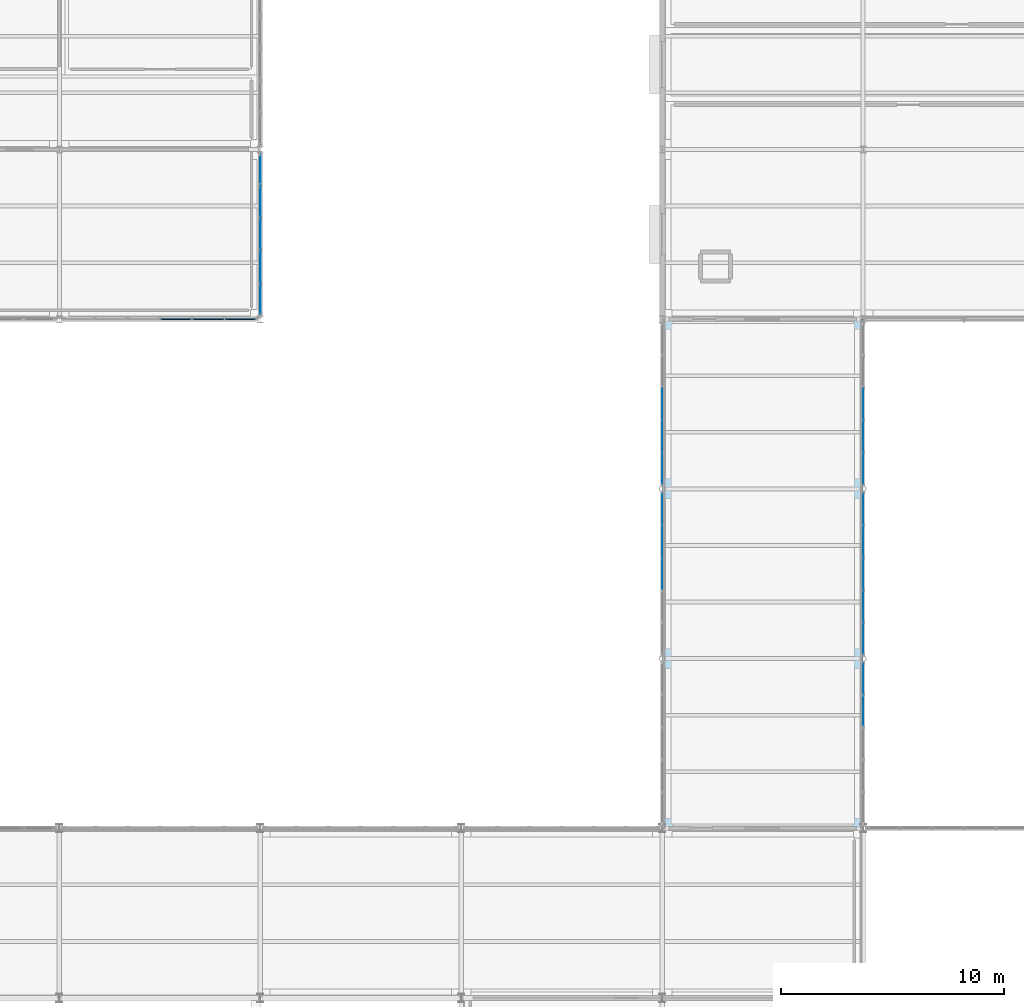
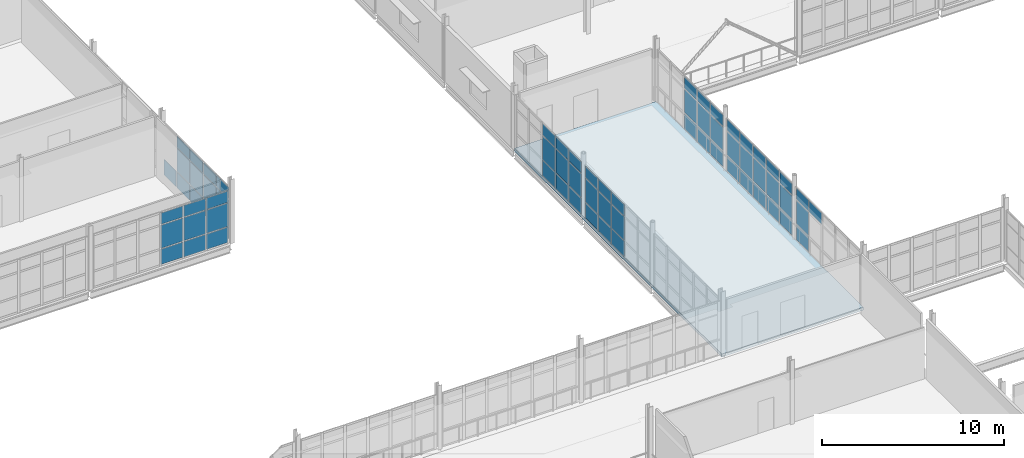
# One storey, part 136 of 174: 68 plates, 1 slab, 7 elements without a shape of their own.
"""IFC4 building model written with IfcOpenShell, lengths in metres."""

from ifc_helpers import new_model, si_unit, direction, frame, origin, origin_2d, place, context, subcontext, project, spatial, polyline, rectangle, outline, extrude, material, layer, layer_set, type_object, element, aggregate, save


model = new_model("IFC4")

# Units and contexts
model_context = context("Model", 3, precision=1e-05, world=origin(), true_north=direction((0.0, 1.0)))
body_context = subcontext(model_context, "Body", "Model", "MODEL_VIEW")
ifc_project = project(units=[si_unit("LENGTHUNIT", "METRE"), si_unit("AREAUNIT", "SQUARE_METRE"), si_unit("VOLUMEUNIT", "CUBIC_METRE"), si_unit("PLANEANGLEUNIT", "RADIAN"), si_unit("MASSUNIT", "GRAM", prefix="KILO")], contexts=[model_context])

# Site, building, storey
site_placement = place(None, origin())
site = spatial("IfcSite", under=ifc_project, at=site_placement, CompositionType="ELEMENT")
building_placement = place(site_placement, origin())
building = spatial("IfcBuilding", under=site, at=building_placement, Name="Caisbarro Railhouse Central Library", CompositionType="ELEMENT")
storey_placement = place(building_placement, frame((0.0, 0.0, 5.0400390625)))
storey = spatial("IfcBuildingStorey", under=building, at=storey_placement, Name="L01", CompositionType="ELEMENT", Elevation=5.0400390625)

# Curtain wall, plates
ifc_material_1 = material(Name="Anodised architectural aluminium", Category="aluminium")
curtain_wall_type_1 = type_object("IfcCurtainWallType", Name="CW-CW03", PredefinedType="NOTDEFINED", material=ifc_material_1)
curtain_wall_1_placement = place(storey_placement, origin())
curtain_wall_1 = element("IfcCurtainWall", 1, at=curtain_wall_1_placement, inside=storey, type_object=curtain_wall_type_1, Name="CW03 curtain wall L01 #193", PredefinedType="NOTDEFINED")
ifc_material_2 = material(Name="Double low-e laminated solar-control glass", Category="glass")
ifc_layer_1 = layer(ifc_material_2, 0.01806640625, Name="Double low-e laminated solar-control glass")
ifc_layer_set_1 = layer_set([ifc_layer_1], Name="Double low-e laminated solar-control glass")
plate_type_1 = type_object("IfcPlateType", Name="CWP-CP18", PredefinedType="CURTAIN_PANEL", material=ifc_layer_set_1)
plate_1_placement = place(storey_placement, frame((63.0, 66.055908203125, 2.79248046875), z_axis=(0.0, 0.0, 1.0), x_axis=(0.0, 1.0, 0.0)))
plate_1 = element("IfcPlate", 2, at=plate_1_placement, type_object=plate_type_1, Name="CW03 panel 4.3", PredefinedType="CURTAIN_PANEL", context=body_context, shape_type="SweptSolid", body=[
    extrude(rectangle(XDim=1.39111328125, YDim=0.01806640625, at=origin_2d()), origin(), (0.0, 0.0, 1.0), 0.75244140625),
])
plate_2_placement = place(storey_placement, frame((63.0, 67.495849609375, 0.06494140625), z_axis=(0.0, 0.0, 1.0), x_axis=(0.0, 1.0, 0.0)))
plate_2 = element("IfcPlate", 3, at=plate_2_placement, type_object=plate_type_1, Name="CW03 panel 5.1", PredefinedType="CURTAIN_PANEL", context=body_context, shape_type="SweptSolid", body=[
    extrude(rectangle(XDim=1.3583984375, YDim=0.01806640625, at=origin_2d()), origin(), (0.0, 0.0, 1.0), 1.0224609375),
])
plate_3_placement = place(storey_placement, frame((63.0, 67.495849609375, 1.15234375), z_axis=(0.0, 0.0, 1.0), x_axis=(0.0, 1.0, 0.0)))
plate_3 = element("IfcPlate", 4, at=plate_3_placement, type_object=plate_type_1, Name="CW03 panel 5.2", PredefinedType="CURTAIN_PANEL", context=body_context, shape_type="SweptSolid", body=[
    extrude(rectangle(XDim=1.3583984375, YDim=0.01806640625, at=origin_2d()), origin(), (0.0, 0.0, 1.0), 1.574951171875),
])
plate_4_placement = place(storey_placement, frame((63.0, 67.495849609375, 2.79248046875), z_axis=(0.0, 0.0, 1.0), x_axis=(0.0, 1.0, 0.0)))
plate_4 = element("IfcPlate", 5, at=plate_4_placement, type_object=plate_type_1, Name="CW03 panel 5.3", PredefinedType="CURTAIN_PANEL", context=body_context, shape_type="SweptSolid", body=[
    extrude(rectangle(XDim=1.3583984375, YDim=0.01806640625, at=origin_2d()), origin(), (0.0, 0.0, 1.0), 0.75244140625),
])
aggregate(curtain_wall_1, [plate_1, plate_2, plate_3, plate_4])

curtain_wall_2_placement = place(storey_placement, origin())
curtain_wall_2 = element("IfcCurtainWall", 6, at=curtain_wall_2_placement, inside=storey, type_object=curtain_wall_type_1, Name="CW03 curtain wall L01 #194", PredefinedType="NOTDEFINED")
plate_5_placement = place(storey_placement, frame((54.0, 72.199951171875, 0.06494140625), z_axis=(0.0, 0.0, 1.0), x_axis=(0.0, 1.0, 0.0)))
plate_5 = element("IfcPlate", 7, at=plate_5_placement, type_object=plate_type_1, Name="CW03 panel 3.1", PredefinedType="CURTAIN_PANEL", context=body_context, shape_type="SweptSolid", body=[
    extrude(rectangle(XDim=1.39111328125, YDim=0.01806640625, at=origin_2d()), origin(), (0.0, 0.0, 1.0), 1.0224609375),
])
plate_6_placement = place(storey_placement, frame((54.0, 72.199951171875, 1.15234375), z_axis=(0.0, 0.0, 1.0), x_axis=(0.0, 1.0, 0.0)))
plate_6 = element("IfcPlate", 8, at=plate_6_placement, type_object=plate_type_1, Name="CW03 panel 3.2", PredefinedType="CURTAIN_PANEL", context=body_context, shape_type="SweptSolid", body=[
    extrude(rectangle(XDim=1.39111328125, YDim=0.01806640625, at=origin_2d()), origin(), (0.0, 0.0, 1.0), 1.574951171875),
])
plate_7_placement = place(storey_placement, frame((54.0, 72.199951171875, 2.79248046875), z_axis=(0.0, 0.0, 1.0), x_axis=(0.0, 1.0, 0.0)))
plate_7 = element("IfcPlate", 9, at=plate_7_placement, type_object=plate_type_1, Name="CW03 panel 3.3", PredefinedType="CURTAIN_PANEL", context=body_context, shape_type="SweptSolid", body=[
    extrude(rectangle(XDim=1.39111328125, YDim=0.01806640625, at=origin_2d()), origin(), (0.0, 0.0, 1.0), 0.75244140625),
])
plate_8_placement = place(storey_placement, frame((54.0, 73.656005859375, 0.06494140625), z_axis=(0.0, 0.0, 1.0), x_axis=(0.0, 1.0, 0.0)))
plate_8 = element("IfcPlate", 10, at=plate_8_placement, type_object=plate_type_1, Name="CW03 panel 4.1", PredefinedType="CURTAIN_PANEL", context=body_context, shape_type="SweptSolid", body=[
    extrude(rectangle(XDim=1.39111328125, YDim=0.01806640625, at=origin_2d()), origin(), (0.0, 0.0, 1.0), 1.0224609375),
])
plate_9_placement = place(storey_placement, frame((54.0, 73.656005859375, 1.15234375), z_axis=(0.0, 0.0, 1.0), x_axis=(0.0, 1.0, 0.0)))
plate_9 = element("IfcPlate", 11, at=plate_9_placement, type_object=plate_type_1, Name="CW03 panel 4.2", PredefinedType="CURTAIN_PANEL", context=body_context, shape_type="SweptSolid", body=[
    extrude(rectangle(XDim=1.39111328125, YDim=0.01806640625, at=origin_2d()), origin(), (0.0, 0.0, 1.0), 1.574951171875),
])
plate_10_placement = place(storey_placement, frame((54.0, 73.656005859375, 2.79248046875), z_axis=(0.0, 0.0, 1.0), x_axis=(0.0, 1.0, 0.0)))
plate_10 = element("IfcPlate", 12, at=plate_10_placement, type_object=plate_type_1, Name="CW03 panel 4.3", PredefinedType="CURTAIN_PANEL", context=body_context, shape_type="SweptSolid", body=[
    extrude(rectangle(XDim=1.39111328125, YDim=0.01806640625, at=origin_2d()), origin(), (0.0, 0.0, 1.0), 0.75244140625),
])
plate_11_placement = place(storey_placement, frame((54.0, 75.095703125, 0.06494140625), z_axis=(0.0, 0.0, 1.0), x_axis=(0.0, 1.0, 0.0)))
plate_11 = element("IfcPlate", 13, at=plate_11_placement, type_object=plate_type_1, Name="CW03 panel 5.1", PredefinedType="CURTAIN_PANEL", context=body_context, shape_type="SweptSolid", body=[
    extrude(rectangle(XDim=1.3583984375, YDim=0.01806640625, at=origin_2d()), origin(), (0.0, 0.0, 1.0), 1.0224609375),
])
plate_12_placement = place(storey_placement, frame((54.0, 75.095703125, 1.15234375), z_axis=(0.0, 0.0, 1.0), x_axis=(0.0, 1.0, 0.0)))
plate_12 = element("IfcPlate", 14, at=plate_12_placement, type_object=plate_type_1, Name="CW03 panel 5.2", PredefinedType="CURTAIN_PANEL", context=body_context, shape_type="SweptSolid", body=[
    extrude(rectangle(XDim=1.3583984375, YDim=0.01806640625, at=origin_2d()), origin(), (0.0, 0.0, 1.0), 1.574951171875),
])
plate_13_placement = place(storey_placement, frame((54.0, 75.095703125, 2.79248046875), z_axis=(0.0, 0.0, 1.0), x_axis=(0.0, 1.0, 0.0)))
plate_13 = element("IfcPlate", 15, at=plate_13_placement, type_object=plate_type_1, Name="CW03 panel 5.3", PredefinedType="CURTAIN_PANEL", context=body_context, shape_type="SweptSolid", body=[
    extrude(rectangle(XDim=1.3583984375, YDim=0.01806640625, at=origin_2d()), origin(), (0.0, 0.0, 1.0), 0.75244140625),
])
aggregate(curtain_wall_2, [plate_5, plate_6, plate_7, plate_8, plate_9, plate_10, plate_11, plate_12, plate_13])

curtain_wall_3_placement = place(storey_placement, origin())
curtain_wall_3 = element("IfcCurtainWall", 16, at=curtain_wall_3_placement, inside=storey, type_object=curtain_wall_type_1, Name="CW03 curtain wall L01 #195", PredefinedType="NOTDEFINED")
plate_14_placement = place(storey_placement, frame((63.0, 69.30419921875, 0.06494140625), z_axis=(0.0, 0.0, 1.0), x_axis=(0.0, 1.0, 0.0)))
plate_14 = element("IfcPlate", 17, at=plate_14_placement, type_object=plate_type_1, Name="CW03 panel 1.1", PredefinedType="CURTAIN_PANEL", context=body_context, shape_type="SweptSolid", body=[
    extrude(rectangle(XDim=1.3583984375, YDim=0.01806640625, at=origin_2d()), origin(), (0.0, 0.0, 1.0), 1.0224609375),
])
plate_15_placement = place(storey_placement, frame((63.0, 69.30419921875, 1.15234375), z_axis=(0.0, 0.0, 1.0), x_axis=(0.0, 1.0, 0.0)))
plate_15 = element("IfcPlate", 18, at=plate_15_placement, type_object=plate_type_1, Name="CW03 panel 1.2", PredefinedType="CURTAIN_PANEL", context=body_context, shape_type="SweptSolid", body=[
    extrude(rectangle(XDim=1.3583984375, YDim=0.01806640625, at=origin_2d()), origin(), (0.0, 0.0, 1.0), 1.574951171875),
])
plate_16_placement = place(storey_placement, frame((63.0, 69.30419921875, 2.79248046875), z_axis=(0.0, 0.0, 1.0), x_axis=(0.0, 1.0, 0.0)))
plate_16 = element("IfcPlate", 19, at=plate_16_placement, type_object=plate_type_1, Name="CW03 panel 1.3", PredefinedType="CURTAIN_PANEL", context=body_context, shape_type="SweptSolid", body=[
    extrude(rectangle(XDim=1.3583984375, YDim=0.01806640625, at=origin_2d()), origin(), (0.0, 0.0, 1.0), 0.75244140625),
])
plate_17_placement = place(storey_placement, frame((63.0, 70.743896484375, 0.06494140625), z_axis=(0.0, 0.0, 1.0), x_axis=(0.0, 1.0, 0.0)))
plate_17 = element("IfcPlate", 20, at=plate_17_placement, type_object=plate_type_1, Name="CW03 panel 2.1", PredefinedType="CURTAIN_PANEL", context=body_context, shape_type="SweptSolid", body=[
    extrude(rectangle(XDim=1.39111328125, YDim=0.01806640625, at=origin_2d()), origin(), (0.0, 0.0, 1.0), 1.0224609375),
])
plate_18_placement = place(storey_placement, frame((63.0, 70.743896484375, 1.15234375), z_axis=(0.0, 0.0, 1.0), x_axis=(0.0, 1.0, 0.0)))
plate_18 = element("IfcPlate", 21, at=plate_18_placement, type_object=plate_type_1, Name="CW03 panel 2.2", PredefinedType="CURTAIN_PANEL", context=body_context, shape_type="SweptSolid", body=[
    extrude(rectangle(XDim=1.39111328125, YDim=0.01806640625, at=origin_2d()), origin(), (0.0, 0.0, 1.0), 1.574951171875),
])
plate_19_placement = place(storey_placement, frame((63.0, 70.743896484375, 2.79248046875), z_axis=(0.0, 0.0, 1.0), x_axis=(0.0, 1.0, 0.0)))
plate_19 = element("IfcPlate", 22, at=plate_19_placement, type_object=plate_type_1, Name="CW03 panel 2.3", PredefinedType="CURTAIN_PANEL", context=body_context, shape_type="SweptSolid", body=[
    extrude(rectangle(XDim=1.39111328125, YDim=0.01806640625, at=origin_2d()), origin(), (0.0, 0.0, 1.0), 0.75244140625),
])
plate_20_placement = place(storey_placement, frame((63.0, 72.199951171875, 0.06494140625), z_axis=(0.0, 0.0, 1.0), x_axis=(0.0, 1.0, 0.0)))
plate_20 = element("IfcPlate", 23, at=plate_20_placement, type_object=plate_type_1, Name="CW03 panel 3.1", PredefinedType="CURTAIN_PANEL", context=body_context, shape_type="SweptSolid", body=[
    extrude(rectangle(XDim=1.39111328125, YDim=0.01806640625, at=origin_2d()), origin(), (0.0, 0.0, 1.0), 1.0224609375),
])
plate_21_placement = place(storey_placement, frame((63.0, 72.199951171875, 1.15234375), z_axis=(0.0, 0.0, 1.0), x_axis=(0.0, 1.0, 0.0)))
plate_21 = element("IfcPlate", 24, at=plate_21_placement, type_object=plate_type_1, Name="CW03 panel 3.2", PredefinedType="CURTAIN_PANEL", context=body_context, shape_type="SweptSolid", body=[
    extrude(rectangle(XDim=1.39111328125, YDim=0.01806640625, at=origin_2d()), origin(), (0.0, 0.0, 1.0), 1.574951171875),
])
plate_22_placement = place(storey_placement, frame((63.0, 72.199951171875, 2.79248046875), z_axis=(0.0, 0.0, 1.0), x_axis=(0.0, 1.0, 0.0)))
plate_22 = element("IfcPlate", 25, at=plate_22_placement, type_object=plate_type_1, Name="CW03 panel 3.3", PredefinedType="CURTAIN_PANEL", context=body_context, shape_type="SweptSolid", body=[
    extrude(rectangle(XDim=1.39111328125, YDim=0.01806640625, at=origin_2d()), origin(), (0.0, 0.0, 1.0), 0.75244140625),
])
plate_23_placement = place(storey_placement, frame((63.0, 73.656005859375, 0.06494140625), z_axis=(0.0, 0.0, 1.0), x_axis=(0.0, 1.0, 0.0)))
plate_23 = element("IfcPlate", 26, at=plate_23_placement, type_object=plate_type_1, Name="CW03 panel 4.1", PredefinedType="CURTAIN_PANEL", context=body_context, shape_type="SweptSolid", body=[
    extrude(rectangle(XDim=1.39111328125, YDim=0.01806640625, at=origin_2d()), origin(), (0.0, 0.0, 1.0), 1.0224609375),
])
plate_24_placement = place(storey_placement, frame((63.0, 73.656005859375, 1.15234375), z_axis=(0.0, 0.0, 1.0), x_axis=(0.0, 1.0, 0.0)))
plate_24 = element("IfcPlate", 27, at=plate_24_placement, type_object=plate_type_1, Name="CW03 panel 4.2", PredefinedType="CURTAIN_PANEL", context=body_context, shape_type="SweptSolid", body=[
    extrude(rectangle(XDim=1.39111328125, YDim=0.01806640625, at=origin_2d()), origin(), (0.0, 0.0, 1.0), 1.574951171875),
])
plate_25_placement = place(storey_placement, frame((63.0, 73.656005859375, 2.79248046875), z_axis=(0.0, 0.0, 1.0), x_axis=(0.0, 1.0, 0.0)))
plate_25 = element("IfcPlate", 28, at=plate_25_placement, type_object=plate_type_1, Name="CW03 panel 4.3", PredefinedType="CURTAIN_PANEL", context=body_context, shape_type="SweptSolid", body=[
    extrude(rectangle(XDim=1.39111328125, YDim=0.01806640625, at=origin_2d()), origin(), (0.0, 0.0, 1.0), 0.75244140625),
])
plate_26_placement = place(storey_placement, frame((63.0, 75.095703125, 0.06494140625), z_axis=(0.0, 0.0, 1.0), x_axis=(0.0, 1.0, 0.0)))
plate_26 = element("IfcPlate", 29, at=plate_26_placement, type_object=plate_type_1, Name="CW03 panel 5.1", PredefinedType="CURTAIN_PANEL", context=body_context, shape_type="SweptSolid", body=[
    extrude(rectangle(XDim=1.3583984375, YDim=0.01806640625, at=origin_2d()), origin(), (0.0, 0.0, 1.0), 1.0224609375),
])
plate_27_placement = place(storey_placement, frame((63.0, 75.095703125, 1.15234375), z_axis=(0.0, 0.0, 1.0), x_axis=(0.0, 1.0, 0.0)))
plate_27 = element("IfcPlate", 30, at=plate_27_placement, type_object=plate_type_1, Name="CW03 panel 5.2", PredefinedType="CURTAIN_PANEL", context=body_context, shape_type="SweptSolid", body=[
    extrude(rectangle(XDim=1.3583984375, YDim=0.01806640625, at=origin_2d()), origin(), (0.0, 0.0, 1.0), 1.574951171875),
])
plate_28_placement = place(storey_placement, frame((63.0, 75.095703125, 2.79248046875), z_axis=(0.0, 0.0, 1.0), x_axis=(0.0, 1.0, 0.0)))
plate_28 = element("IfcPlate", 31, at=plate_28_placement, type_object=plate_type_1, Name="CW03 panel 5.3", PredefinedType="CURTAIN_PANEL", context=body_context, shape_type="SweptSolid", body=[
    extrude(rectangle(XDim=1.3583984375, YDim=0.01806640625, at=origin_2d()), origin(), (0.0, 0.0, 1.0), 0.75244140625),
])
aggregate(curtain_wall_3, [plate_14, plate_15, plate_16, plate_17, plate_18, plate_19, plate_20, plate_21, plate_22, plate_23, plate_24, plate_25, plate_26, plate_27, plate_28])

curtain_wall_4_placement = place(storey_placement, origin())
curtain_wall_4 = element("IfcCurtainWall", 32, at=curtain_wall_4_placement, inside=storey, type_object=curtain_wall_type_1, Name="CW03 curtain wall L01 #196", PredefinedType="NOTDEFINED")
plate_29_placement = place(storey_placement, frame((54.0, 76.904296875, 0.06494140625), z_axis=(0.0, 0.0, 1.0), x_axis=(0.0, 1.0, 0.0)))
plate_29 = element("IfcPlate", 33, at=plate_29_placement, type_object=plate_type_1, Name="CW03 panel 1.1", PredefinedType="CURTAIN_PANEL", context=body_context, shape_type="SweptSolid", body=[
    extrude(rectangle(XDim=1.3583984375, YDim=0.01806640625, at=origin_2d()), origin(), (0.0, 0.0, 1.0), 1.0224609375),
])
plate_30_placement = place(storey_placement, frame((54.0, 76.904296875, 1.15234375), z_axis=(0.0, 0.0, 1.0), x_axis=(0.0, 1.0, 0.0)))
plate_30 = element("IfcPlate", 34, at=plate_30_placement, type_object=plate_type_1, Name="CW03 panel 1.2", PredefinedType="CURTAIN_PANEL", context=body_context, shape_type="SweptSolid", body=[
    extrude(rectangle(XDim=1.3583984375, YDim=0.01806640625, at=origin_2d()), origin(), (0.0, 0.0, 1.0), 1.574951171875),
])
plate_31_placement = place(storey_placement, frame((54.0, 76.904296875, 2.79248046875), z_axis=(0.0, 0.0, 1.0), x_axis=(0.0, 1.0, 0.0)))
plate_31 = element("IfcPlate", 35, at=plate_31_placement, type_object=plate_type_1, Name="CW03 panel 1.3", PredefinedType="CURTAIN_PANEL", context=body_context, shape_type="SweptSolid", body=[
    extrude(rectangle(XDim=1.3583984375, YDim=0.01806640625, at=origin_2d()), origin(), (0.0, 0.0, 1.0), 0.75244140625),
])
plate_32_placement = place(storey_placement, frame((54.0, 78.343994140625, 0.06494140625), z_axis=(0.0, 0.0, 1.0), x_axis=(0.0, 1.0, 0.0)))
plate_32 = element("IfcPlate", 36, at=plate_32_placement, type_object=plate_type_1, Name="CW03 panel 2.1", PredefinedType="CURTAIN_PANEL", context=body_context, shape_type="SweptSolid", body=[
    extrude(rectangle(XDim=1.39111328125, YDim=0.01806640625, at=origin_2d()), origin(), (0.0, 0.0, 1.0), 1.0224609375),
])
plate_33_placement = place(storey_placement, frame((54.0, 78.343994140625, 1.15234375), z_axis=(0.0, 0.0, 1.0), x_axis=(0.0, 1.0, 0.0)))
plate_33 = element("IfcPlate", 37, at=plate_33_placement, type_object=plate_type_1, Name="CW03 panel 2.2", PredefinedType="CURTAIN_PANEL", context=body_context, shape_type="SweptSolid", body=[
    extrude(rectangle(XDim=1.39111328125, YDim=0.01806640625, at=origin_2d()), origin(), (0.0, 0.0, 1.0), 1.574951171875),
])
plate_34_placement = place(storey_placement, frame((54.0, 78.343994140625, 2.79248046875), z_axis=(0.0, 0.0, 1.0), x_axis=(0.0, 1.0, 0.0)))
plate_34 = element("IfcPlate", 38, at=plate_34_placement, type_object=plate_type_1, Name="CW03 panel 2.3", PredefinedType="CURTAIN_PANEL", context=body_context, shape_type="SweptSolid", body=[
    extrude(rectangle(XDim=1.39111328125, YDim=0.01806640625, at=origin_2d()), origin(), (0.0, 0.0, 1.0), 0.75244140625),
])
plate_35_placement = place(storey_placement, frame((54.0, 79.800048828125, 0.06494140625), z_axis=(0.0, 0.0, 1.0), x_axis=(0.0, 1.0, 0.0)))
plate_35 = element("IfcPlate", 39, at=plate_35_placement, type_object=plate_type_1, Name="CW03 panel 3.1", PredefinedType="CURTAIN_PANEL", context=body_context, shape_type="SweptSolid", body=[
    extrude(rectangle(XDim=1.39111328125, YDim=0.01806640625, at=origin_2d()), origin(), (0.0, 0.0, 1.0), 1.0224609375),
])
plate_36_placement = place(storey_placement, frame((54.0, 79.800048828125, 1.15234375), z_axis=(0.0, 0.0, 1.0), x_axis=(0.0, 1.0, 0.0)))
plate_36 = element("IfcPlate", 40, at=plate_36_placement, type_object=plate_type_1, Name="CW03 panel 3.2", PredefinedType="CURTAIN_PANEL", context=body_context, shape_type="SweptSolid", body=[
    extrude(rectangle(XDim=1.39111328125, YDim=0.01806640625, at=origin_2d()), origin(), (0.0, 0.0, 1.0), 1.574951171875),
])
plate_37_placement = place(storey_placement, frame((54.0, 79.800048828125, 2.79248046875), z_axis=(0.0, 0.0, 1.0), x_axis=(0.0, 1.0, 0.0)))
plate_37 = element("IfcPlate", 41, at=plate_37_placement, type_object=plate_type_1, Name="CW03 panel 3.3", PredefinedType="CURTAIN_PANEL", context=body_context, shape_type="SweptSolid", body=[
    extrude(rectangle(XDim=1.39111328125, YDim=0.01806640625, at=origin_2d()), origin(), (0.0, 0.0, 1.0), 0.75244140625),
])
aggregate(curtain_wall_4, [plate_29, plate_30, plate_31, plate_32, plate_33, plate_34, plate_35, plate_36, plate_37])

curtain_wall_5_placement = place(storey_placement, origin())
curtain_wall_5 = element("IfcCurtainWall", 42, at=curtain_wall_5_placement, inside=storey, type_object=curtain_wall_type_1, Name="CW03 curtain wall L01 #197", PredefinedType="NOTDEFINED")
plate_38_placement = place(storey_placement, frame((63.0, 76.904296875, 0.06494140625), z_axis=(0.0, 0.0, 1.0), x_axis=(0.0, 1.0, 0.0)))
plate_38 = element("IfcPlate", 43, at=plate_38_placement, type_object=plate_type_1, Name="CW03 panel 1.1", PredefinedType="CURTAIN_PANEL", context=body_context, shape_type="SweptSolid", body=[
    extrude(rectangle(XDim=1.3583984375, YDim=0.01806640625, at=origin_2d()), origin(), (0.0, 0.0, 1.0), 1.0224609375),
])
plate_39_placement = place(storey_placement, frame((63.0, 76.904296875, 1.15234375), z_axis=(0.0, 0.0, 1.0), x_axis=(0.0, 1.0, 0.0)))
plate_39 = element("IfcPlate", 44, at=plate_39_placement, type_object=plate_type_1, Name="CW03 panel 1.2", PredefinedType="CURTAIN_PANEL", context=body_context, shape_type="SweptSolid", body=[
    extrude(rectangle(XDim=1.3583984375, YDim=0.01806640625, at=origin_2d()), origin(), (0.0, 0.0, 1.0), 1.574951171875),
])
plate_40_placement = place(storey_placement, frame((63.0, 76.904296875, 2.79248046875), z_axis=(0.0, 0.0, 1.0), x_axis=(0.0, 1.0, 0.0)))
plate_40 = element("IfcPlate", 45, at=plate_40_placement, type_object=plate_type_1, Name="CW03 panel 1.3", PredefinedType="CURTAIN_PANEL", context=body_context, shape_type="SweptSolid", body=[
    extrude(rectangle(XDim=1.3583984375, YDim=0.01806640625, at=origin_2d()), origin(), (0.0, 0.0, 1.0), 0.75244140625),
])
plate_41_placement = place(storey_placement, frame((63.0, 78.343994140625, 0.06494140625), z_axis=(0.0, 0.0, 1.0), x_axis=(0.0, 1.0, 0.0)))
plate_41 = element("IfcPlate", 46, at=plate_41_placement, type_object=plate_type_1, Name="CW03 panel 2.1", PredefinedType="CURTAIN_PANEL", context=body_context, shape_type="SweptSolid", body=[
    extrude(rectangle(XDim=1.39111328125, YDim=0.01806640625, at=origin_2d()), origin(), (0.0, 0.0, 1.0), 1.0224609375),
])
plate_42_placement = place(storey_placement, frame((63.0, 78.343994140625, 1.15234375), z_axis=(0.0, 0.0, 1.0), x_axis=(0.0, 1.0, 0.0)))
plate_42 = element("IfcPlate", 47, at=plate_42_placement, type_object=plate_type_1, Name="CW03 panel 2.2", PredefinedType="CURTAIN_PANEL", context=body_context, shape_type="SweptSolid", body=[
    extrude(rectangle(XDim=1.39111328125, YDim=0.01806640625, at=origin_2d()), origin(), (0.0, 0.0, 1.0), 1.574951171875),
])
plate_43_placement = place(storey_placement, frame((63.0, 78.343994140625, 2.79248046875), z_axis=(0.0, 0.0, 1.0), x_axis=(0.0, 1.0, 0.0)))
plate_43 = element("IfcPlate", 48, at=plate_43_placement, type_object=plate_type_1, Name="CW03 panel 2.3", PredefinedType="CURTAIN_PANEL", context=body_context, shape_type="SweptSolid", body=[
    extrude(rectangle(XDim=1.39111328125, YDim=0.01806640625, at=origin_2d()), origin(), (0.0, 0.0, 1.0), 0.75244140625),
])
plate_44_placement = place(storey_placement, frame((63.0, 79.800048828125, 0.06494140625), z_axis=(0.0, 0.0, 1.0), x_axis=(0.0, 1.0, 0.0)))
plate_44 = element("IfcPlate", 49, at=plate_44_placement, type_object=plate_type_1, Name="CW03 panel 3.1", PredefinedType="CURTAIN_PANEL", context=body_context, shape_type="SweptSolid", body=[
    extrude(rectangle(XDim=1.39111328125, YDim=0.01806640625, at=origin_2d()), origin(), (0.0, 0.0, 1.0), 1.0224609375),
])
plate_45_placement = place(storey_placement, frame((63.0, 79.800048828125, 1.15234375), z_axis=(0.0, 0.0, 1.0), x_axis=(0.0, 1.0, 0.0)))
plate_45 = element("IfcPlate", 50, at=plate_45_placement, type_object=plate_type_1, Name="CW03 panel 3.2", PredefinedType="CURTAIN_PANEL", context=body_context, shape_type="SweptSolid", body=[
    extrude(rectangle(XDim=1.39111328125, YDim=0.01806640625, at=origin_2d()), origin(), (0.0, 0.0, 1.0), 1.574951171875),
])
plate_46_placement = place(storey_placement, frame((63.0, 79.800048828125, 2.79248046875), z_axis=(0.0, 0.0, 1.0), x_axis=(0.0, 1.0, 0.0)))
plate_46 = element("IfcPlate", 51, at=plate_46_placement, type_object=plate_type_1, Name="CW03 panel 3.3", PredefinedType="CURTAIN_PANEL", context=body_context, shape_type="SweptSolid", body=[
    extrude(rectangle(XDim=1.39111328125, YDim=0.01806640625, at=origin_2d()), origin(), (0.0, 0.0, 1.0), 0.75244140625),
])
aggregate(curtain_wall_5, [plate_38, plate_39, plate_40, plate_41, plate_42, plate_43, plate_44, plate_45, plate_46])

curtain_wall_type_2 = type_object("IfcCurtainWallType", Name="CW-CW02", PredefinedType="NOTDEFINED", material=ifc_material_1)
curtain_wall_6_placement = place(storey_placement, origin())
curtain_wall_6 = element("IfcCurtainWall", 52, at=curtain_wall_6_placement, inside=storey, type_object=curtain_wall_type_2, Name="CW02 curtain wall L01 #83", PredefinedType="NOTDEFINED")
ifc_layer_2 = layer(ifc_material_2, 0.028076171875, Name="Double low-e laminated solar-control glass")
ifc_layer_set_2 = layer_set([ifc_layer_2], Name="Double low-e laminated solar-control glass")
plate_type_2 = type_object("IfcPlateType", Name="CWP-CP28", PredefinedType="CURTAIN_PANEL", material=ifc_layer_set_2)
plate_47_placement = place(storey_placement, frame((36.0, 84.5068359375, 0.06494140625), z_axis=(0.0, 0.0, 1.0), x_axis=(0.0, 1.0, 0.0)))
plate_47 = element("IfcPlate", 53, at=plate_47_placement, type_object=plate_type_2, Name="CW02 panel 1.1", PredefinedType="CURTAIN_PANEL", context=body_context, shape_type="SweptSolid", body=[
    extrude(rectangle(XDim=1.343505859375, YDim=0.028076171875, at=origin_2d()), origin(), (0.0, 0.0, 1.0), 1.0224609375),
])
plate_48_placement = place(storey_placement, frame((36.0, 84.5068359375, 1.152587890625), z_axis=(0.0, 0.0, 1.0), x_axis=(0.0, 1.0, 0.0)))
plate_48 = element("IfcPlate", 54, at=plate_48_placement, type_object=plate_type_2, Name="CW02 panel 1.2", PredefinedType="CURTAIN_PANEL", context=body_context, shape_type="SweptSolid", body=[
    extrude(rectangle(XDim=1.343505859375, YDim=0.028076171875, at=origin_2d()), origin(), (0.0, 0.0, 1.0), 1.544921875),
])
plate_49_placement = place(storey_placement, frame((36.0, 84.5068359375, 2.762451171875), z_axis=(0.0, 0.0, 1.0), x_axis=(0.0, 1.0, 0.0)))
plate_49 = element("IfcPlate", 55, at=plate_49_placement, type_object=plate_type_2, Name="CW02 panel 1.3", PredefinedType="CURTAIN_PANEL", context=body_context, shape_type="SweptSolid", body=[
    extrude(rectangle(XDim=1.343505859375, YDim=0.028076171875, at=origin_2d()), origin(), (0.0, 0.0, 1.0), 0.75244140625),
])
plate_50_placement = place(storey_placement, frame((36.0, 85.944091796875, 0.06494140625), z_axis=(0.0, 0.0, 1.0), x_axis=(0.0, 1.0, 0.0)))
plate_50 = element("IfcPlate", 56, at=plate_50_placement, type_object=plate_type_2, Name="CW02 panel 2.1", PredefinedType="CURTAIN_PANEL", context=body_context, shape_type="SweptSolid", body=[
    extrude(rectangle(XDim=1.381103515625, YDim=0.028076171875, at=origin_2d()), origin(), (0.0, 0.0, 1.0), 1.0224609375),
])
plate_51_placement = place(storey_placement, frame((36.0, 85.944091796875, 1.152587890625), z_axis=(0.0, 0.0, 1.0), x_axis=(0.0, 1.0, 0.0)))
plate_51 = element("IfcPlate", 57, at=plate_51_placement, type_object=plate_type_2, Name="CW02 panel 2.2", PredefinedType="CURTAIN_PANEL", context=body_context, shape_type="SweptSolid", body=[
    extrude(rectangle(XDim=1.381103515625, YDim=0.028076171875, at=origin_2d()), origin(), (0.0, 0.0, 1.0), 1.544921875),
])
plate_52_placement = place(storey_placement, frame((36.0, 85.944091796875, 2.762451171875), z_axis=(0.0, 0.0, 1.0), x_axis=(0.0, 1.0, 0.0)))
plate_52 = element("IfcPlate", 58, at=plate_52_placement, type_object=plate_type_2, Name="CW02 panel 2.3", PredefinedType="CURTAIN_PANEL", context=body_context, shape_type="SweptSolid", body=[
    extrude(rectangle(XDim=1.381103515625, YDim=0.028076171875, at=origin_2d()), origin(), (0.0, 0.0, 1.0), 0.75244140625),
])
plate_53_placement = place(storey_placement, frame((36.0, 87.39990234375, 0.06494140625), z_axis=(0.0, 0.0, 1.0), x_axis=(0.0, 1.0, 0.0)))
plate_53 = element("IfcPlate", 59, at=plate_53_placement, type_object=plate_type_2, Name="CW02 panel 3.1", PredefinedType="CURTAIN_PANEL", context=body_context, shape_type="SweptSolid", body=[
    extrude(rectangle(XDim=1.381103515625, YDim=0.028076171875, at=origin_2d()), origin(), (0.0, 0.0, 1.0), 1.0224609375),
])
plate_54_placement = place(storey_placement, frame((36.0, 87.39990234375, 1.152587890625), z_axis=(0.0, 0.0, 1.0), x_axis=(0.0, 1.0, 0.0)))
plate_54 = element("IfcPlate", 60, at=plate_54_placement, type_object=plate_type_2, Name="CW02 panel 3.2", PredefinedType="CURTAIN_PANEL", context=body_context, shape_type="SweptSolid", body=[
    extrude(rectangle(XDim=1.381103515625, YDim=0.028076171875, at=origin_2d()), origin(), (0.0, 0.0, 1.0), 1.544921875),
])
plate_55_placement = place(storey_placement, frame((36.0, 87.39990234375, 2.762451171875), z_axis=(0.0, 0.0, 1.0), x_axis=(0.0, 1.0, 0.0)))
plate_55 = element("IfcPlate", 61, at=plate_55_placement, type_object=plate_type_2, Name="CW02 panel 3.3", PredefinedType="CURTAIN_PANEL", context=body_context, shape_type="SweptSolid", body=[
    extrude(rectangle(XDim=1.381103515625, YDim=0.028076171875, at=origin_2d()), origin(), (0.0, 0.0, 1.0), 0.75244140625),
])
plate_56_placement = place(storey_placement, frame((36.0, 88.85595703125, 0.06494140625), z_axis=(0.0, 0.0, 1.0), x_axis=(0.0, 1.0, 0.0)))
plate_56 = element("IfcPlate", 62, at=plate_56_placement, type_object=plate_type_2, Name="CW02 panel 4.1", PredefinedType="CURTAIN_PANEL", context=body_context, shape_type="SweptSolid", body=[
    extrude(rectangle(XDim=1.381103515625, YDim=0.028076171875, at=origin_2d()), origin(), (0.0, 0.0, 1.0), 1.0224609375),
])
plate_57_placement = place(storey_placement, frame((36.0, 88.85595703125, 1.152587890625), z_axis=(0.0, 0.0, 1.0), x_axis=(0.0, 1.0, 0.0)))
plate_57 = element("IfcPlate", 63, at=plate_57_placement, type_object=plate_type_2, Name="CW02 panel 4.2", PredefinedType="CURTAIN_PANEL", context=body_context, shape_type="SweptSolid", body=[
    extrude(rectangle(XDim=1.381103515625, YDim=0.028076171875, at=origin_2d()), origin(), (0.0, 0.0, 1.0), 1.544921875),
])
plate_58_placement = place(storey_placement, frame((36.0, 88.85595703125, 2.762451171875), z_axis=(0.0, 0.0, 1.0), x_axis=(0.0, 1.0, 0.0)))
plate_58 = element("IfcPlate", 64, at=plate_58_placement, type_object=plate_type_2, Name="CW02 panel 4.3", PredefinedType="CURTAIN_PANEL", context=body_context, shape_type="SweptSolid", body=[
    extrude(rectangle(XDim=1.381103515625, YDim=0.028076171875, at=origin_2d()), origin(), (0.0, 0.0, 1.0), 0.75244140625),
])
plate_59_placement = place(storey_placement, frame((36.0, 90.293212890625, 0.06494140625), z_axis=(0.0, 0.0, 1.0), x_axis=(0.0, 1.0, 0.0)))
plate_59 = element("IfcPlate", 65, at=plate_59_placement, type_object=plate_type_2, Name="CW02 panel 5.1", PredefinedType="CURTAIN_PANEL", context=body_context, shape_type="SweptSolid", body=[
    extrude(rectangle(XDim=1.343505859375, YDim=0.028076171875, at=origin_2d()), origin(), (0.0, 0.0, 1.0), 1.0224609375),
])
aggregate(curtain_wall_6, [plate_47, plate_48, plate_49, plate_50, plate_51, plate_52, plate_53, plate_54, plate_55, plate_56, plate_57, plate_58, plate_59])

curtain_wall_7_placement = place(storey_placement, origin())
curtain_wall_7 = element("IfcCurtainWall", 66, at=curtain_wall_7_placement, inside=storey, type_object=curtain_wall_type_2, Name="CW02 curtain wall L01 #82", PredefinedType="NOTDEFINED")
ifc_layer_3 = layer(ifc_material_2, 0.048095703125, Name="Double low-e laminated solar-control glass")
ifc_layer_set_3 = layer_set([ifc_layer_3], Name="Double low-e laminated solar-control glass")
plate_type_3 = type_object("IfcPlateType", Name="CWP-CP48", PredefinedType="CURTAIN_PANEL", material=ifc_layer_set_3)
plate_60_placement = place(storey_placement, frame((32.223388671875, 83.60009765625, 0.06494140625), z_axis=(0.0, 0.0, 1.0), x_axis=(1.0, 0.0, 0.0)))
plate_60 = element("IfcPlate", 67, at=plate_60_placement, type_object=plate_type_3, Name="CW02 panel 4.1", PredefinedType="CURTAIN_PANEL", context=body_context, shape_type="SweptSolid", body=[
    extrude(rectangle(XDim=1.381591796875, YDim=0.048095703125, at=origin_2d()), origin(), (0.0, 0.0, 1.0), 1.0224609375),
])
plate_61_placement = place(storey_placement, frame((32.223388671875, 83.60009765625, 1.152587890625), z_axis=(0.0, 0.0, 1.0), x_axis=(1.0, 0.0, 0.0)))
plate_61 = element("IfcPlate", 68, at=plate_61_placement, type_object=plate_type_3, Name="CW02 panel 4.2", PredefinedType="CURTAIN_PANEL", context=body_context, shape_type="SweptSolid", body=[
    extrude(rectangle(XDim=1.381591796875, YDim=0.048095703125, at=origin_2d()), origin(), (0.0, 0.0, 1.0), 1.544921875),
])
plate_62_placement = place(storey_placement, frame((32.223388671875, 83.60009765625, 2.762451171875), z_axis=(0.0, 0.0, 1.0), x_axis=(1.0, 0.0, 0.0)))
plate_62 = element("IfcPlate", 69, at=plate_62_placement, type_object=plate_type_3, Name="CW02 panel 4.3", PredefinedType="CURTAIN_PANEL", context=body_context, shape_type="SweptSolid", body=[
    extrude(rectangle(XDim=1.381591796875, YDim=0.048095703125, at=origin_2d()), origin(), (0.0, 0.0, 1.0), 0.75244140625),
])
plate_63_placement = place(storey_placement, frame((33.669921875, 83.60009765625, 0.06494140625), z_axis=(0.0, 0.0, 1.0), x_axis=(1.0, 0.0, 0.0)))
plate_63 = element("IfcPlate", 70, at=plate_63_placement, type_object=plate_type_3, Name="CW02 panel 5.1", PredefinedType="CURTAIN_PANEL", context=body_context, shape_type="SweptSolid", body=[
    extrude(rectangle(XDim=1.381591796875, YDim=0.048095703125, at=origin_2d()), origin(), (0.0, 0.0, 1.0), 1.0224609375),
])
plate_64_placement = place(storey_placement, frame((33.669921875, 83.60009765625, 1.152587890625), z_axis=(0.0, 0.0, 1.0), x_axis=(1.0, 0.0, 0.0)))
plate_64 = element("IfcPlate", 71, at=plate_64_placement, type_object=plate_type_3, Name="CW02 panel 5.2", PredefinedType="CURTAIN_PANEL", context=body_context, shape_type="SweptSolid", body=[
    extrude(rectangle(XDim=1.381591796875, YDim=0.048095703125, at=origin_2d()), origin(), (0.0, 0.0, 1.0), 1.544921875),
])
plate_65_placement = place(storey_placement, frame((33.669921875, 83.60009765625, 2.762451171875), z_axis=(0.0, 0.0, 1.0), x_axis=(1.0, 0.0, 0.0)))
plate_65 = element("IfcPlate", 72, at=plate_65_placement, type_object=plate_type_3, Name="CW02 panel 5.3", PredefinedType="CURTAIN_PANEL", context=body_context, shape_type="SweptSolid", body=[
    extrude(rectangle(XDim=1.381591796875, YDim=0.048095703125, at=origin_2d()), origin(), (0.0, 0.0, 1.0), 0.75244140625),
])
plate_66_placement = place(storey_placement, frame((35.100341796875, 83.60009765625, 0.06494140625), z_axis=(0.0, 0.0, 1.0), x_axis=(1.0, 0.0, 0.0)))
plate_66 = element("IfcPlate", 73, at=plate_66_placement, type_object=plate_type_3, Name="CW02 panel 6.1", PredefinedType="CURTAIN_PANEL", context=body_context, shape_type="SweptSolid", body=[
    extrude(rectangle(XDim=1.34912109375, YDim=0.048095703125, at=origin_2d()), origin(), (0.0, 0.0, 1.0), 1.0224609375),
])
plate_67_placement = place(storey_placement, frame((35.100341796875, 83.60009765625, 1.152587890625), z_axis=(0.0, 0.0, 1.0), x_axis=(1.0, 0.0, 0.0)))
plate_67 = element("IfcPlate", 74, at=plate_67_placement, type_object=plate_type_3, Name="CW02 panel 6.2", PredefinedType="CURTAIN_PANEL", context=body_context, shape_type="SweptSolid", body=[
    extrude(rectangle(XDim=1.34912109375, YDim=0.048095703125, at=origin_2d()), origin(), (0.0, 0.0, 1.0), 1.544921875),
])
plate_68_placement = place(storey_placement, frame((35.100341796875, 83.60009765625, 2.762451171875), z_axis=(0.0, 0.0, 1.0), x_axis=(1.0, 0.0, 0.0)))
plate_68 = element("IfcPlate", 75, at=plate_68_placement, type_object=plate_type_3, Name="CW02 panel 6.3", PredefinedType="CURTAIN_PANEL", context=body_context, shape_type="SweptSolid", body=[
    extrude(rectangle(XDim=1.34912109375, YDim=0.048095703125, at=origin_2d()), origin(), (0.0, 0.0, 1.0), 0.75244140625),
])
aggregate(curtain_wall_7, [plate_60, plate_61, plate_62, plate_63, plate_64, plate_65, plate_66, plate_67, plate_68])

# Slab
ifc_material_3 = material(Name="Concrete C35", Category="concrete")
ifc_layer_4 = layer(ifc_material_3, 0.199951171875, Name="Concrete C35")
ifc_layer_set_4 = layer_set([ifc_layer_4], Name="Concrete C35")
slab_type = type_object("IfcSlabType", Name="SLB-FL20", PredefinedType="FLOOR", material=ifc_layer_set_4)
slab_placement = place(storey_placement, frame((0.0, 0.0, -0.199951171875)))
element("IfcSlab", 76, at=slab_placement, inside=storey, type_object=slab_type, Name="Courtyard Bridge Floor Slab BRG-W L01", PredefinedType="FLOOR", context=body_context, shape_type="SweptSolid", body=[
    extrude(outline(polyline([(54.0, 60.800048828125), (63.0, 60.800048828125), (63.0, 83.60009765625), (54.0, 83.60009765625), (54.0, 60.800048828125)])), origin(), (0.0, 0.0, 1.0), 0.199951171875),
])

save(model, "model.ifc")
